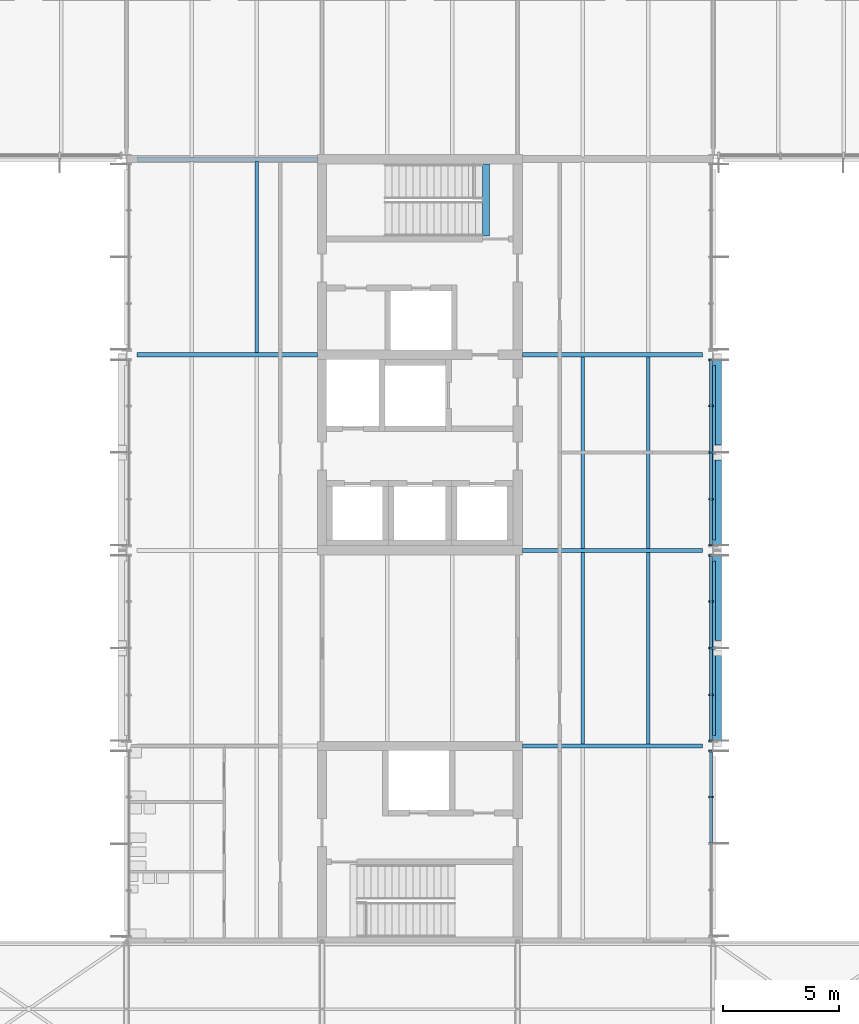
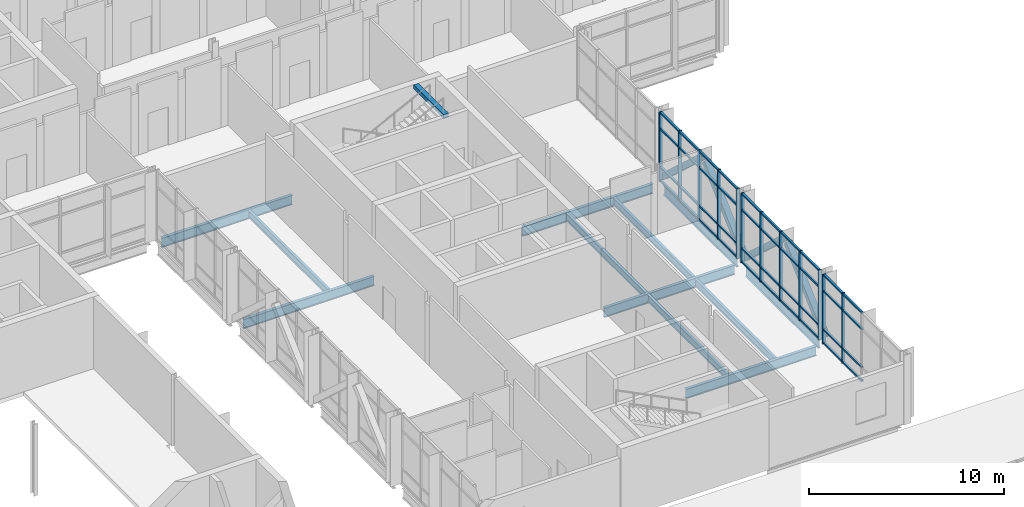
# One storey, part 29 of 89: 56 members, 13 beams, 3 elements without a shape of their own.
"""IFC4 building model written with IfcOpenShell, lengths in metres."""

from ifc_helpers import new_model, si_unit, direction, frame, origin, origin_2d, place, context, subcontext, project, spatial, rectangle, hollow_rectangle, i_section, extrude, material, material_profile, profile_set, type_object, element, aggregate, save


model = new_model("IFC4")

# Units and contexts
model_context = context("Model", 3, precision=1e-05, world=origin(), true_north=direction((0.0, 1.0)))
body_context = subcontext(model_context, "Body", "Model", "MODEL_VIEW")
ifc_project = project(units=[si_unit("LENGTHUNIT", "METRE"), si_unit("AREAUNIT", "SQUARE_METRE"), si_unit("VOLUMEUNIT", "CUBIC_METRE"), si_unit("PLANEANGLEUNIT", "RADIAN"), si_unit("MASSUNIT", "GRAM", prefix="KILO")], contexts=[model_context])

# Site, building, storey
site_placement = place(None, origin())
site = spatial("IfcSite", under=ifc_project, at=site_placement, CompositionType="ELEMENT")
building_placement = place(site_placement, origin())
building = spatial("IfcBuilding", under=site, at=building_placement, Name="Hlaing Beacon Police Headquarters", CompositionType="ELEMENT")
storey_placement = place(building_placement, frame((0.0, 0.0, 9.89990234375)))
storey = spatial("IfcBuildingStorey", under=building, at=storey_placement, Name="L02", CompositionType="ELEMENT", Elevation=9.89990234375)

# Members
ifc_material_1 = material(Name="Steel ASTM A500 Grade C", Category="steel")
ifc_material_profile_1 = material_profile(ifc_material_1, hollow_rectangle(XDim=0.355712890625, YDim=0.355712890625, WallThickness=0.015869140625, at=origin_2d()), Name="HSS14x14x5/8")
ifc_profile_set_1 = profile_set([ifc_material_profile_1], Name="Steel ASTM A500 Grade C")
member_type_1 = type_object("IfcMemberType", Name="Chevron brace HSS14x14x5/8", PredefinedType="BRACE", material=ifc_profile_set_1)
for number, where, z_axis, x_axis, name in (
    (1, (126.181884765625, 42.077880859375, 0.131103515625), (0.0, 0.738028812002, 0.674769199545), (-1.0, 0.0, 0.0), "STR-BR-L02-R6a"),
    (2, (126.181884765625, 50.322021484375, 0.131103515625), (0.0, -0.738028812002, 0.674769199545), (1.0, 0.0, 0.0), "STR-BR-L02-R6b"),
    (3, (126.181884765625, 50.47802734375, 0.131103515625), (0.0, 0.738007893761, 0.67479207816), (-1.0, 0.0, 0.0), "STR-BR-L02-R7a"),
    (4, (126.181884765625, 58.721923828125, 0.131103515625), (0.0, -0.738007893761, 0.67479207816), (1.0, 0.0, 0.0), "STR-BR-L02-R7b"),
):
    element("IfcMember", number, at=place(storey_placement, frame(where, z_axis=z_axis, x_axis=x_axis)), inside=storey, type_object=member_type_1, Name=name, PredefinedType="BRACE", context=body_context, shape_type="SweptSolid", body=[
        extrude(hollow_rectangle(XDim=0.355712890625, YDim=0.355712890625, WallThickness=0.015869140625, at=origin_2d()), origin(), (0.0, 0.0, 1.0), 5.314208984375),
    ])

# Beams
ifc_material_2 = material(Name="Steel ASTM A992 Grade 50", Category="steel")
ifc_material_profile_2 = material_profile(ifc_material_2, i_section(OverallWidth=0.177978515625, OverallDepth=0.599365234375, WebThickness=0.010009765625, FlangeThickness=0.012939453125, FilletRadius=0.012939453125, at=origin_2d()), Name="W24x55")
ifc_profile_set_2 = profile_set([ifc_material_profile_2], Name="Steel ASTM A992 Grade 50")
beam_type_1 = type_object("IfcBeamType", Name="Girder W24x55", PredefinedType="BEAM", material=ifc_profile_set_2)
for number, where, z_axis, x_axis, name in (
    (5, (117.800048828125, 42.0, -0.4296875), (1.0, 0.0, 0.0), (0.0, 1.0, 0.0), "STR-BM-L02-GX-Q6-R6"),
    (6, (117.800048828125, 50.39990234375, -0.4296875), (1.0, 0.0, 0.0), (0.0, 1.0, 0.0), "STR-BM-L02-GX-Q7-R7"),
    (7, (101.25, 58.800048828125, -0.4296875), (1.0, 0.0, 0.0), (0.0, 1.0, 0.0), "STR-BM-L02-GX-N8-P8"),
    (8, (117.800048828125, 58.800048828125, -0.4296875), (1.0, 0.0, 0.0), (0.0, 1.0, 0.0), "STR-BM-L02-GX-Q8-R8"),
    (9, (101.25, 67.199951171875, -0.4296875), (1.0, 0.0, 0.0), (0.0, 1.0, 0.0), "STR-BM-L02-GX-N9-P9"),
):
    element("IfcBeam", number, at=place(storey_placement, frame(where, z_axis=z_axis, x_axis=x_axis)), inside=storey, type_object=beam_type_1, Name=name, PredefinedType="BEAM", context=body_context, shape_type="SweptSolid", body=[
        extrude(i_section(OverallWidth=0.177978515625, OverallDepth=0.599365234375, WebThickness=0.010009765625, FlangeThickness=0.012939453125, FilletRadius=0.012939453125, at=origin_2d()), origin(), (0.0, 0.0, 1.0), 7.75),
    ])
for number, where, z_axis, x_axis, name in (
    (10, (126.0, 42.449951171875, -0.4296875), (0.0, 1.0, 0.0), (-1.0, 0.0, 0.0), "STR-BM-L02-GY-R6-R7"),
    (11, (126.0, 50.85009765625, -0.4296875), (0.0, 1.0, 0.0), (-1.0, 0.0, 0.0), "STR-BM-L02-GY-R7-R8"),
):
    element("IfcBeam", number, at=place(storey_placement, frame(where, z_axis=z_axis, x_axis=x_axis)), inside=storey, type_object=beam_type_1, Name=name, PredefinedType="BEAM", context=body_context, shape_type="SweptSolid", body=[
        extrude(i_section(OverallWidth=0.177978515625, OverallDepth=0.599365234375, WebThickness=0.010009765625, FlangeThickness=0.012939453125, FilletRadius=0.012939453125, at=origin_2d()), origin(), (0.0, 0.0, 1.0), 7.5),
    ])

# Curtain wall, members
ifc_material_3 = material(Name="Aluminium frame with solar control glazing", Category="aluminium")
curtain_wall_type_1 = type_object("IfcCurtainWallType", Name="Unitised curtain wall 7.99 x 4.37", PredefinedType="NOTDEFINED", material=ifc_material_3)
curtain_wall_1_placement = place(storey_placement, origin())
curtain_wall_1 = element("IfcCurtainWall", 12, at=curtain_wall_1_placement, inside=storey, type_object=curtain_wall_type_1, Name="ENV-CW-L02-E015", PredefinedType="NOTDEFINED")
ifc_material_4 = material(Name="Aluminium", Category="aluminium")
ifc_material_profile_3 = material_profile(ifc_material_4, rectangle(XDim=0.199951171875, YDim=0.06005859375, at=origin_2d()), Name="Mullion 60x200")
ifc_profile_set_3 = profile_set([ifc_material_profile_3], Name="Aluminium")
member_type_2 = type_object("IfcMemberType", Name="Mullion 60x200", PredefinedType="MULLION", material=ifc_profile_set_3)
member_1_placement = place(storey_placement, frame((125.89990234375, 39.808349609375, 0.0), z_axis=(0.0, 0.0, 1.0), x_axis=(-1.0, 0.0, 0.0)))
member_1 = element("IfcMember", 13, at=member_1_placement, type_object=member_type_2, Name="CW-L02-E015 mullion 4", PredefinedType="MULLION", context=body_context, shape_type="SweptSolid", body=[
    extrude(rectangle(XDim=0.199951171875, YDim=0.06005859375, at=origin_2d()), origin(), (0.0, 0.0, 1.0), 4.3701171875),
])
member_2_placement = place(storey_placement, frame((125.89990234375, 41.777099609375, 0.0), z_axis=(0.0, 0.0, 1.0), x_axis=(-1.0, 0.0, 0.0)))
member_2 = element("IfcMember", 14, at=member_2_placement, type_object=member_type_2, Name="CW-L02-E015 mullion 5", PredefinedType="MULLION", context=body_context, shape_type="SweptSolid", body=[
    extrude(rectangle(XDim=0.199951171875, YDim=0.06005859375, at=origin_2d()), origin(), (0.0, 0.0, 1.0), 4.3701171875),
])

ifc_material_5 = material(Name="Aluminium frame with solar control glazing", Category="aluminium")
curtain_wall_type_2 = type_object("IfcCurtainWallType", Name="Unitised curtain wall 8.01 x 4.37", PredefinedType="NOTDEFINED", material=ifc_material_5)
curtain_wall_2_placement = place(storey_placement, origin())
curtain_wall_2 = element("IfcCurtainWall", 15, at=curtain_wall_2_placement, inside=storey, type_object=curtain_wall_type_2, Name="ENV-CW-L02-E016", PredefinedType="NOTDEFINED")
member_3_placement = place(storey_placement, frame((125.89990234375, 42.222900390625, 0.0), z_axis=(0.0, 0.0, 1.0), x_axis=(-1.0, 0.0, 0.0)))
member_3 = element("IfcMember", 16, at=member_3_placement, type_object=member_type_2, Name="CW-L02-E016 mullion 1", PredefinedType="MULLION", context=body_context, shape_type="SweptSolid", body=[
    extrude(rectangle(XDim=0.199951171875, YDim=0.06005859375, at=origin_2d()), origin(), (0.0, 0.0, 1.0), 4.3701171875),
])
member_4_placement = place(storey_placement, frame((125.89990234375, 44.196533203125, 0.0), z_axis=(0.0, 0.0, 1.0), x_axis=(-1.0, 0.0, 0.0)))
member_4 = element("IfcMember", 17, at=member_4_placement, type_object=member_type_2, Name="CW-L02-E016 mullion 2", PredefinedType="MULLION", context=body_context, shape_type="SweptSolid", body=[
    extrude(rectangle(XDim=0.199951171875, YDim=0.06005859375, at=origin_2d()), origin(), (0.0, 0.0, 1.0), 4.3701171875),
])
member_5_placement = place(storey_placement, frame((125.89990234375, 46.199951171875, 0.0), z_axis=(0.0, 0.0, 1.0), x_axis=(-1.0, 0.0, 0.0)))
member_5 = element("IfcMember", 18, at=member_5_placement, type_object=member_type_2, Name="CW-L02-E016 mullion 3", PredefinedType="MULLION", context=body_context, shape_type="SweptSolid", body=[
    extrude(rectangle(XDim=0.199951171875, YDim=0.06005859375, at=origin_2d()), origin(), (0.0, 0.0, 1.0), 4.3701171875),
])
member_6_placement = place(storey_placement, frame((125.89990234375, 48.20361328125, 0.0), z_axis=(0.0, 0.0, 1.0), x_axis=(-1.0, 0.0, 0.0)))
member_6 = element("IfcMember", 19, at=member_6_placement, type_object=member_type_2, Name="CW-L02-E016 mullion 4", PredefinedType="MULLION", context=body_context, shape_type="SweptSolid", body=[
    extrude(rectangle(XDim=0.199951171875, YDim=0.06005859375, at=origin_2d()), origin(), (0.0, 0.0, 1.0), 4.3701171875),
])
member_7_placement = place(storey_placement, frame((125.89990234375, 50.177001953125, 0.0), z_axis=(0.0, 0.0, 1.0), x_axis=(-1.0, 0.0, 0.0)))
member_7 = element("IfcMember", 20, at=member_7_placement, type_object=member_type_2, Name="CW-L02-E016 mullion 5", PredefinedType="MULLION", context=body_context, shape_type="SweptSolid", body=[
    extrude(rectangle(XDim=0.199951171875, YDim=0.06005859375, at=origin_2d()), origin(), (0.0, 0.0, 1.0), 4.3701171875),
])

curtain_wall_3_placement = place(storey_placement, origin())
curtain_wall_3 = element("IfcCurtainWall", 21, at=curtain_wall_3_placement, inside=storey, type_object=curtain_wall_type_2, Name="ENV-CW-L02-E017", PredefinedType="NOTDEFINED")
member_8_placement = place(storey_placement, frame((125.89990234375, 50.623046875, 0.0), z_axis=(0.0, 0.0, 1.0), x_axis=(-1.0, 0.0, 0.0)))
member_8 = element("IfcMember", 22, at=member_8_placement, type_object=member_type_2, Name="CW-L02-E017 mullion 1", PredefinedType="MULLION", context=body_context, shape_type="SweptSolid", body=[
    extrude(rectangle(XDim=0.199951171875, YDim=0.06005859375, at=origin_2d()), origin(), (0.0, 0.0, 1.0), 4.3701171875),
])
member_9_placement = place(storey_placement, frame((125.89990234375, 52.596435546875, 0.0), z_axis=(0.0, 0.0, 1.0), x_axis=(-1.0, 0.0, 0.0)))
member_9 = element("IfcMember", 23, at=member_9_placement, type_object=member_type_2, Name="CW-L02-E017 mullion 2", PredefinedType="MULLION", context=body_context, shape_type="SweptSolid", body=[
    extrude(rectangle(XDim=0.199951171875, YDim=0.06005859375, at=origin_2d()), origin(), (0.0, 0.0, 1.0), 4.3701171875),
])
member_10_placement = place(storey_placement, frame((125.89990234375, 54.60009765625, 0.0), z_axis=(0.0, 0.0, 1.0), x_axis=(-1.0, 0.0, 0.0)))
member_10 = element("IfcMember", 24, at=member_10_placement, type_object=member_type_2, Name="CW-L02-E017 mullion 3", PredefinedType="MULLION", context=body_context, shape_type="SweptSolid", body=[
    extrude(rectangle(XDim=0.199951171875, YDim=0.06005859375, at=origin_2d()), origin(), (0.0, 0.0, 1.0), 4.3701171875),
])
member_11_placement = place(storey_placement, frame((125.89990234375, 56.603515625, 0.0), z_axis=(0.0, 0.0, 1.0), x_axis=(-1.0, 0.0, 0.0)))
member_11 = element("IfcMember", 25, at=member_11_placement, type_object=member_type_2, Name="CW-L02-E017 mullion 4", PredefinedType="MULLION", context=body_context, shape_type="SweptSolid", body=[
    extrude(rectangle(XDim=0.199951171875, YDim=0.06005859375, at=origin_2d()), origin(), (0.0, 0.0, 1.0), 4.3701171875),
])
member_12_placement = place(storey_placement, frame((125.89990234375, 58.576904296875, 0.0), z_axis=(0.0, 0.0, 1.0), x_axis=(-1.0, 0.0, 0.0)))
member_12 = element("IfcMember", 26, at=member_12_placement, type_object=member_type_2, Name="CW-L02-E017 mullion 5", PredefinedType="MULLION", context=body_context, shape_type="SweptSolid", body=[
    extrude(rectangle(XDim=0.199951171875, YDim=0.06005859375, at=origin_2d()), origin(), (0.0, 0.0, 1.0), 4.3701171875),
])

# Beams
ifc_material_6 = material(Name="Steel ASTM A992 Grade 50", Category="steel")
ifc_material_profile_4 = material_profile(ifc_material_6, i_section(OverallWidth=0.15234375, OverallDepth=0.449462890625, WebThickness=0.007568359375, FlangeThickness=0.0107421875, FilletRadius=0.01025390625, at=origin_2d()), Name="W18x35")
ifc_profile_set_4 = profile_set([ifc_material_profile_4], Name="Steel ASTM A992 Grade 50")
beam_type_2 = type_object("IfcBeamType", Name="Secondary beam W18x35", PredefinedType="BEAM", material=ifc_profile_set_4)
beam_1_placement = place(storey_placement, frame((106.39990234375, 58.888916015625, -0.354736328125), z_axis=(0.0, 1.0, 0.0), x_axis=(-1.0, 0.0, 0.0)))
element("IfcBeam", 27, at=beam_1_placement, inside=storey, type_object=beam_type_2, Name="STR-BM-L02-SB-N8-y2", PredefinedType="BEAM", context=body_context, shape_type="SweptSolid", body=[
    extrude(i_section(OverallWidth=0.15234375, OverallDepth=0.449462890625, WebThickness=0.007568359375, FlangeThickness=0.0107421875, FilletRadius=0.01025390625, at=origin_2d()), origin(), (0.0, 0.0, 1.0), 8.22216796875),
])
for number, where, z_axis, x_axis, name in (
    (28, (120.39990234375, 42.089111328125, -0.354736328125), (0.0, 1.0, 0.0), (-1.0, 0.0, 0.0), "STR-BM-L02-SB-Q6-y1"),
    (29, (123.199951171875, 42.089111328125, -0.354736328125), (0.0, 1.0, 0.0), (-1.0, 0.0, 0.0), "STR-BM-L02-SB-Q6-y2"),
    (30, (120.39990234375, 50.489013671875, -0.354736328125), (0.0, 1.0, 0.0), (-1.0, 0.0, 0.0), "STR-BM-L02-SB-Q7-y1"),
    (31, (123.199951171875, 50.489013671875, -0.354736328125), (0.0, 1.0, 0.0), (-1.0, 0.0, 0.0), "STR-BM-L02-SB-Q7-y2"),
):
    element("IfcBeam", number, at=place(storey_placement, frame(where, z_axis=z_axis, x_axis=x_axis)), inside=storey, type_object=beam_type_2, Name=name, PredefinedType="BEAM", context=body_context, shape_type="SweptSolid", body=[
        extrude(i_section(OverallWidth=0.15234375, OverallDepth=0.449462890625, WebThickness=0.007568359375, FlangeThickness=0.0107421875, FilletRadius=0.01025390625, at=origin_2d()), origin(), (0.0, 0.0, 1.0), 8.221923828125),
    ])
ifc_material_7 = material(Name="Concrete C40/50", Category="concrete")
ifc_material_profile_5 = material_profile(ifc_material_7, rectangle(XDim=0.300048828125, YDim=0.25, at=origin_2d()), Name="Stair arrival beam 300x250")
ifc_profile_set_5 = profile_set([ifc_material_profile_5], Name="Concrete C40/50")
beam_type_3 = type_object("IfcBeamType", Name="Stair arrival beam 300x250", PredefinedType="BEAM", material=ifc_profile_set_5)
beam_2_placement = place(storey_placement, frame((116.239990234375, 67.0, 4.2451171875), z_axis=(0.0, -1.0, 0.0), x_axis=(1.0, 0.0, 0.0)))
element("IfcBeam", 32, at=beam_2_placement, inside=storey, type_object=beam_type_3, Name="Stair arrival beam ST-M", PredefinedType="BEAM", context=body_context, shape_type="SweptSolid", body=[
    extrude(rectangle(XDim=0.300048828125, YDim=0.25, at=origin_2d()), origin(), (0.0, 0.0, 1.0), 3.10009765625),
])

# Member
ifc_material_8 = material(Name="Aluminium", Category="aluminium")
ifc_material_profile_6 = material_profile(ifc_material_8, rectangle(XDim=0.1201171875, YDim=0.10009765625, at=origin_2d()), Name="Transom 120x100")
ifc_profile_set_6 = profile_set([ifc_material_profile_6], Name="Aluminium")
member_type_3 = type_object("IfcMemberType", Name="Transom 120x100", PredefinedType="USERDEFINED", material=ifc_profile_set_6)
member_13_placement = place(storey_placement, frame((125.89990234375, 37.839599609375, 0.050048828125), z_axis=(0.0, 1.0, 0.0), x_axis=(-1.0, 0.0, 0.0)))
member_13 = element("IfcMember", 33, at=member_13_placement, type_object=member_type_3, Name="CW-L02-E015 transom 3.1", ObjectType="TRANSOM", PredefinedType="USERDEFINED", context=body_context, shape_type="SweptSolid", body=[
    extrude(rectangle(XDim=0.1201171875, YDim=0.10009765625, at=origin_2d()), origin(), (0.0, 0.0, 1.0), 1.938720703125),
])

member_14_placement = place(storey_placement, frame((125.89990234375, 37.839599609375, 0.900146484375), z_axis=(0.0, 1.0, 0.0), x_axis=(-1.0, 0.0, 0.0)))
member_14 = element("IfcMember", 34, at=member_14_placement, type_object=member_type_3, Name="CW-L02-E015 transom 3.2", ObjectType="TRANSOM", PredefinedType="USERDEFINED", context=body_context, shape_type="SweptSolid", body=[
    extrude(rectangle(XDim=0.1201171875, YDim=0.10009765625, at=origin_2d()), origin(), (0.0, 0.0, 1.0), 1.938720703125),
])

member_15_placement = place(storey_placement, frame((125.89990234375, 37.839599609375, 3.300048828125), z_axis=(0.0, 1.0, 0.0), x_axis=(-1.0, 0.0, 0.0)))
member_15 = element("IfcMember", 35, at=member_15_placement, type_object=member_type_3, Name="CW-L02-E015 transom 3.3", ObjectType="TRANSOM", PredefinedType="USERDEFINED", context=body_context, shape_type="SweptSolid", body=[
    extrude(rectangle(XDim=0.1201171875, YDim=0.10009765625, at=origin_2d()), origin(), (0.0, 0.0, 1.0), 1.938720703125),
])

member_16_placement = place(storey_placement, frame((125.89990234375, 37.839599609375, 4.320068359375), z_axis=(0.0, 1.0, 0.0), x_axis=(-1.0, 0.0, 0.0)))
member_16 = element("IfcMember", 36, at=member_16_placement, type_object=member_type_3, Name="CW-L02-E015 transom 3.4", ObjectType="TRANSOM", PredefinedType="USERDEFINED", context=body_context, shape_type="SweptSolid", body=[
    extrude(rectangle(XDim=0.1201171875, YDim=0.10009765625, at=origin_2d()), origin(), (0.0, 0.0, 1.0), 1.938720703125),
])

member_17_placement = place(storey_placement, frame((125.89990234375, 39.83837890625, 0.050048828125), z_axis=(0.0, 1.0, 0.0), x_axis=(-1.0, 0.0, 0.0)))
member_17 = element("IfcMember", 37, at=member_17_placement, type_object=member_type_3, Name="CW-L02-E015 transom 4.1", ObjectType="TRANSOM", PredefinedType="USERDEFINED", context=body_context, shape_type="SweptSolid", body=[
    extrude(rectangle(XDim=0.1201171875, YDim=0.10009765625, at=origin_2d()), origin(), (0.0, 0.0, 1.0), 1.90869140625),
])

member_18_placement = place(storey_placement, frame((125.89990234375, 39.83837890625, 0.900146484375), z_axis=(0.0, 1.0, 0.0), x_axis=(-1.0, 0.0, 0.0)))
member_18 = element("IfcMember", 38, at=member_18_placement, type_object=member_type_3, Name="CW-L02-E015 transom 4.2", ObjectType="TRANSOM", PredefinedType="USERDEFINED", context=body_context, shape_type="SweptSolid", body=[
    extrude(rectangle(XDim=0.1201171875, YDim=0.10009765625, at=origin_2d()), origin(), (0.0, 0.0, 1.0), 1.90869140625),
])

member_19_placement = place(storey_placement, frame((125.89990234375, 39.83837890625, 3.300048828125), z_axis=(0.0, 1.0, 0.0), x_axis=(-1.0, 0.0, 0.0)))
member_19 = element("IfcMember", 39, at=member_19_placement, type_object=member_type_3, Name="CW-L02-E015 transom 4.3", ObjectType="TRANSOM", PredefinedType="USERDEFINED", context=body_context, shape_type="SweptSolid", body=[
    extrude(rectangle(XDim=0.1201171875, YDim=0.10009765625, at=origin_2d()), origin(), (0.0, 0.0, 1.0), 1.90869140625),
])

member_20_placement = place(storey_placement, frame((125.89990234375, 39.83837890625, 4.320068359375), z_axis=(0.0, 1.0, 0.0), x_axis=(-1.0, 0.0, 0.0)))
member_20 = element("IfcMember", 40, at=member_20_placement, type_object=member_type_3, Name="CW-L02-E015 transom 4.4", ObjectType="TRANSOM", PredefinedType="USERDEFINED", context=body_context, shape_type="SweptSolid", body=[
    extrude(rectangle(XDim=0.1201171875, YDim=0.10009765625, at=origin_2d()), origin(), (0.0, 0.0, 1.0), 1.90869140625),
])

aggregate(curtain_wall_1, [member_1, member_2, member_13, member_14, member_15, member_16, member_17, member_18, member_19, member_20])

member_21_placement = place(storey_placement, frame((125.89990234375, 42.2529296875, 0.050048828125), z_axis=(0.0, 1.0, 0.0), x_axis=(-1.0, 0.0, 0.0)))
member_21 = element("IfcMember", 41, at=member_21_placement, type_object=member_type_3, Name="CW-L02-E016 transom 1.1", ObjectType="TRANSOM", PredefinedType="USERDEFINED", context=body_context, shape_type="SweptSolid", body=[
    extrude(rectangle(XDim=0.1201171875, YDim=0.10009765625, at=origin_2d()), origin(), (0.0, 0.0, 1.0), 1.91357421875),
])

member_22_placement = place(storey_placement, frame((125.89990234375, 42.2529296875, 0.900146484375), z_axis=(0.0, 1.0, 0.0), x_axis=(-1.0, 0.0, 0.0)))
member_22 = element("IfcMember", 42, at=member_22_placement, type_object=member_type_3, Name="CW-L02-E016 transom 1.2", ObjectType="TRANSOM", PredefinedType="USERDEFINED", context=body_context, shape_type="SweptSolid", body=[
    extrude(rectangle(XDim=0.1201171875, YDim=0.10009765625, at=origin_2d()), origin(), (0.0, 0.0, 1.0), 1.91357421875),
])

member_23_placement = place(storey_placement, frame((125.89990234375, 42.2529296875, 3.300048828125), z_axis=(0.0, 1.0, 0.0), x_axis=(-1.0, 0.0, 0.0)))
member_23 = element("IfcMember", 43, at=member_23_placement, type_object=member_type_3, Name="CW-L02-E016 transom 1.3", ObjectType="TRANSOM", PredefinedType="USERDEFINED", context=body_context, shape_type="SweptSolid", body=[
    extrude(rectangle(XDim=0.1201171875, YDim=0.10009765625, at=origin_2d()), origin(), (0.0, 0.0, 1.0), 1.91357421875),
])

member_24_placement = place(storey_placement, frame((125.89990234375, 42.2529296875, 4.320068359375), z_axis=(0.0, 1.0, 0.0), x_axis=(-1.0, 0.0, 0.0)))
member_24 = element("IfcMember", 44, at=member_24_placement, type_object=member_type_3, Name="CW-L02-E016 transom 1.4", ObjectType="TRANSOM", PredefinedType="USERDEFINED", context=body_context, shape_type="SweptSolid", body=[
    extrude(rectangle(XDim=0.1201171875, YDim=0.10009765625, at=origin_2d()), origin(), (0.0, 0.0, 1.0), 1.91357421875),
])

member_25_placement = place(storey_placement, frame((125.89990234375, 44.2265625, 0.050048828125), z_axis=(0.0, 1.0, 0.0), x_axis=(-1.0, 0.0, 0.0)))
member_25 = element("IfcMember", 45, at=member_25_placement, type_object=member_type_3, Name="CW-L02-E016 transom 2.1", ObjectType="TRANSOM", PredefinedType="USERDEFINED", context=body_context, shape_type="SweptSolid", body=[
    extrude(rectangle(XDim=0.1201171875, YDim=0.10009765625, at=origin_2d()), origin(), (0.0, 0.0, 1.0), 1.943359375),
])

member_26_placement = place(storey_placement, frame((125.89990234375, 44.2265625, 0.900146484375), z_axis=(0.0, 1.0, 0.0), x_axis=(-1.0, 0.0, 0.0)))
member_26 = element("IfcMember", 46, at=member_26_placement, type_object=member_type_3, Name="CW-L02-E016 transom 2.2", ObjectType="TRANSOM", PredefinedType="USERDEFINED", context=body_context, shape_type="SweptSolid", body=[
    extrude(rectangle(XDim=0.1201171875, YDim=0.10009765625, at=origin_2d()), origin(), (0.0, 0.0, 1.0), 1.943359375),
])

member_27_placement = place(storey_placement, frame((125.89990234375, 44.2265625, 3.300048828125), z_axis=(0.0, 1.0, 0.0), x_axis=(-1.0, 0.0, 0.0)))
member_27 = element("IfcMember", 47, at=member_27_placement, type_object=member_type_3, Name="CW-L02-E016 transom 2.3", ObjectType="TRANSOM", PredefinedType="USERDEFINED", context=body_context, shape_type="SweptSolid", body=[
    extrude(rectangle(XDim=0.1201171875, YDim=0.10009765625, at=origin_2d()), origin(), (0.0, 0.0, 1.0), 1.943359375),
])

member_28_placement = place(storey_placement, frame((125.89990234375, 44.2265625, 4.320068359375), z_axis=(0.0, 1.0, 0.0), x_axis=(-1.0, 0.0, 0.0)))
member_28 = element("IfcMember", 48, at=member_28_placement, type_object=member_type_3, Name="CW-L02-E016 transom 2.4", ObjectType="TRANSOM", PredefinedType="USERDEFINED", context=body_context, shape_type="SweptSolid", body=[
    extrude(rectangle(XDim=0.1201171875, YDim=0.10009765625, at=origin_2d()), origin(), (0.0, 0.0, 1.0), 1.943359375),
])

member_29_placement = place(storey_placement, frame((125.89990234375, 46.22998046875, 0.050048828125), z_axis=(0.0, 1.0, 0.0), x_axis=(-1.0, 0.0, 0.0)))
member_29 = element("IfcMember", 49, at=member_29_placement, type_object=member_type_3, Name="CW-L02-E016 transom 3.1", ObjectType="TRANSOM", PredefinedType="USERDEFINED", context=body_context, shape_type="SweptSolid", body=[
    extrude(rectangle(XDim=0.1201171875, YDim=0.10009765625, at=origin_2d()), origin(), (0.0, 0.0, 1.0), 1.943603515625),
])

member_30_placement = place(storey_placement, frame((125.89990234375, 46.22998046875, 0.900146484375), z_axis=(0.0, 1.0, 0.0), x_axis=(-1.0, 0.0, 0.0)))
member_30 = element("IfcMember", 50, at=member_30_placement, type_object=member_type_3, Name="CW-L02-E016 transom 3.2", ObjectType="TRANSOM", PredefinedType="USERDEFINED", context=body_context, shape_type="SweptSolid", body=[
    extrude(rectangle(XDim=0.1201171875, YDim=0.10009765625, at=origin_2d()), origin(), (0.0, 0.0, 1.0), 1.943603515625),
])

member_31_placement = place(storey_placement, frame((125.89990234375, 46.22998046875, 3.300048828125), z_axis=(0.0, 1.0, 0.0), x_axis=(-1.0, 0.0, 0.0)))
member_31 = element("IfcMember", 51, at=member_31_placement, type_object=member_type_3, Name="CW-L02-E016 transom 3.3", ObjectType="TRANSOM", PredefinedType="USERDEFINED", context=body_context, shape_type="SweptSolid", body=[
    extrude(rectangle(XDim=0.1201171875, YDim=0.10009765625, at=origin_2d()), origin(), (0.0, 0.0, 1.0), 1.943603515625),
])

member_32_placement = place(storey_placement, frame((125.89990234375, 46.22998046875, 4.320068359375), z_axis=(0.0, 1.0, 0.0), x_axis=(-1.0, 0.0, 0.0)))
member_32 = element("IfcMember", 52, at=member_32_placement, type_object=member_type_3, Name="CW-L02-E016 transom 3.4", ObjectType="TRANSOM", PredefinedType="USERDEFINED", context=body_context, shape_type="SweptSolid", body=[
    extrude(rectangle(XDim=0.1201171875, YDim=0.10009765625, at=origin_2d()), origin(), (0.0, 0.0, 1.0), 1.943603515625),
])

member_33_placement = place(storey_placement, frame((125.89990234375, 48.2333984375, 0.050048828125), z_axis=(0.0, 1.0, 0.0), x_axis=(-1.0, 0.0, 0.0)))
member_33 = element("IfcMember", 53, at=member_33_placement, type_object=member_type_3, Name="CW-L02-E016 transom 4.1", ObjectType="TRANSOM", PredefinedType="USERDEFINED", context=body_context, shape_type="SweptSolid", body=[
    extrude(rectangle(XDim=0.1201171875, YDim=0.10009765625, at=origin_2d()), origin(), (0.0, 0.0, 1.0), 1.91357421875),
])

member_34_placement = place(storey_placement, frame((125.89990234375, 48.2333984375, 0.900146484375), z_axis=(0.0, 1.0, 0.0), x_axis=(-1.0, 0.0, 0.0)))
member_34 = element("IfcMember", 54, at=member_34_placement, type_object=member_type_3, Name="CW-L02-E016 transom 4.2", ObjectType="TRANSOM", PredefinedType="USERDEFINED", context=body_context, shape_type="SweptSolid", body=[
    extrude(rectangle(XDim=0.1201171875, YDim=0.10009765625, at=origin_2d()), origin(), (0.0, 0.0, 1.0), 1.91357421875),
])

member_35_placement = place(storey_placement, frame((125.89990234375, 48.2333984375, 3.300048828125), z_axis=(0.0, 1.0, 0.0), x_axis=(-1.0, 0.0, 0.0)))
member_35 = element("IfcMember", 55, at=member_35_placement, type_object=member_type_3, Name="CW-L02-E016 transom 4.3", ObjectType="TRANSOM", PredefinedType="USERDEFINED", context=body_context, shape_type="SweptSolid", body=[
    extrude(rectangle(XDim=0.1201171875, YDim=0.10009765625, at=origin_2d()), origin(), (0.0, 0.0, 1.0), 1.91357421875),
])

member_36_placement = place(storey_placement, frame((125.89990234375, 48.2333984375, 4.320068359375), z_axis=(0.0, 1.0, 0.0), x_axis=(-1.0, 0.0, 0.0)))
member_36 = element("IfcMember", 56, at=member_36_placement, type_object=member_type_3, Name="CW-L02-E016 transom 4.4", ObjectType="TRANSOM", PredefinedType="USERDEFINED", context=body_context, shape_type="SweptSolid", body=[
    extrude(rectangle(XDim=0.1201171875, YDim=0.10009765625, at=origin_2d()), origin(), (0.0, 0.0, 1.0), 1.91357421875),
])

aggregate(curtain_wall_2, [member_3, member_4, member_5, member_6, member_7, member_21, member_22, member_23, member_24, member_25, member_26, member_27, member_28, member_29, member_30, member_31, member_32, member_33, member_34, member_35, member_36])

member_37_placement = place(storey_placement, frame((125.89990234375, 50.653076171875, 0.050048828125), z_axis=(0.0, 1.0, 0.0), x_axis=(-1.0, 0.0, 0.0)))
member_37 = element("IfcMember", 57, at=member_37_placement, type_object=member_type_3, Name="CW-L02-E017 transom 1.1", ObjectType="TRANSOM", PredefinedType="USERDEFINED", context=body_context, shape_type="SweptSolid", body=[
    extrude(rectangle(XDim=0.1201171875, YDim=0.10009765625, at=origin_2d()), origin(), (0.0, 0.0, 1.0), 1.913330078125),
])

member_38_placement = place(storey_placement, frame((125.89990234375, 50.653076171875, 0.900146484375), z_axis=(0.0, 1.0, 0.0), x_axis=(-1.0, 0.0, 0.0)))
member_38 = element("IfcMember", 58, at=member_38_placement, type_object=member_type_3, Name="CW-L02-E017 transom 1.2", ObjectType="TRANSOM", PredefinedType="USERDEFINED", context=body_context, shape_type="SweptSolid", body=[
    extrude(rectangle(XDim=0.1201171875, YDim=0.10009765625, at=origin_2d()), origin(), (0.0, 0.0, 1.0), 1.913330078125),
])

member_39_placement = place(storey_placement, frame((125.89990234375, 50.653076171875, 3.300048828125), z_axis=(0.0, 1.0, 0.0), x_axis=(-1.0, 0.0, 0.0)))
member_39 = element("IfcMember", 59, at=member_39_placement, type_object=member_type_3, Name="CW-L02-E017 transom 1.3", ObjectType="TRANSOM", PredefinedType="USERDEFINED", context=body_context, shape_type="SweptSolid", body=[
    extrude(rectangle(XDim=0.1201171875, YDim=0.10009765625, at=origin_2d()), origin(), (0.0, 0.0, 1.0), 1.913330078125),
])

member_40_placement = place(storey_placement, frame((125.89990234375, 50.653076171875, 4.320068359375), z_axis=(0.0, 1.0, 0.0), x_axis=(-1.0, 0.0, 0.0)))
member_40 = element("IfcMember", 60, at=member_40_placement, type_object=member_type_3, Name="CW-L02-E017 transom 1.4", ObjectType="TRANSOM", PredefinedType="USERDEFINED", context=body_context, shape_type="SweptSolid", body=[
    extrude(rectangle(XDim=0.1201171875, YDim=0.10009765625, at=origin_2d()), origin(), (0.0, 0.0, 1.0), 1.913330078125),
])

member_41_placement = place(storey_placement, frame((125.89990234375, 52.62646484375, 0.050048828125), z_axis=(0.0, 1.0, 0.0), x_axis=(-1.0, 0.0, 0.0)))
member_41 = element("IfcMember", 61, at=member_41_placement, type_object=member_type_3, Name="CW-L02-E017 transom 2.1", ObjectType="TRANSOM", PredefinedType="USERDEFINED", context=body_context, shape_type="SweptSolid", body=[
    extrude(rectangle(XDim=0.1201171875, YDim=0.10009765625, at=origin_2d()), origin(), (0.0, 0.0, 1.0), 1.943603515625),
])

member_42_placement = place(storey_placement, frame((125.89990234375, 52.62646484375, 0.900146484375), z_axis=(0.0, 1.0, 0.0), x_axis=(-1.0, 0.0, 0.0)))
member_42 = element("IfcMember", 62, at=member_42_placement, type_object=member_type_3, Name="CW-L02-E017 transom 2.2", ObjectType="TRANSOM", PredefinedType="USERDEFINED", context=body_context, shape_type="SweptSolid", body=[
    extrude(rectangle(XDim=0.1201171875, YDim=0.10009765625, at=origin_2d()), origin(), (0.0, 0.0, 1.0), 1.943603515625),
])

member_43_placement = place(storey_placement, frame((125.89990234375, 52.62646484375, 3.300048828125), z_axis=(0.0, 1.0, 0.0), x_axis=(-1.0, 0.0, 0.0)))
member_43 = element("IfcMember", 63, at=member_43_placement, type_object=member_type_3, Name="CW-L02-E017 transom 2.3", ObjectType="TRANSOM", PredefinedType="USERDEFINED", context=body_context, shape_type="SweptSolid", body=[
    extrude(rectangle(XDim=0.1201171875, YDim=0.10009765625, at=origin_2d()), origin(), (0.0, 0.0, 1.0), 1.943603515625),
])

member_44_placement = place(storey_placement, frame((125.89990234375, 52.62646484375, 4.320068359375), z_axis=(0.0, 1.0, 0.0), x_axis=(-1.0, 0.0, 0.0)))
member_44 = element("IfcMember", 64, at=member_44_placement, type_object=member_type_3, Name="CW-L02-E017 transom 2.4", ObjectType="TRANSOM", PredefinedType="USERDEFINED", context=body_context, shape_type="SweptSolid", body=[
    extrude(rectangle(XDim=0.1201171875, YDim=0.10009765625, at=origin_2d()), origin(), (0.0, 0.0, 1.0), 1.943603515625),
])

member_45_placement = place(storey_placement, frame((125.89990234375, 54.6298828125, 0.050048828125), z_axis=(0.0, 1.0, 0.0), x_axis=(-1.0, 0.0, 0.0)))
member_45 = element("IfcMember", 65, at=member_45_placement, type_object=member_type_3, Name="CW-L02-E017 transom 3.1", ObjectType="TRANSOM", PredefinedType="USERDEFINED", context=body_context, shape_type="SweptSolid", body=[
    extrude(rectangle(XDim=0.1201171875, YDim=0.10009765625, at=origin_2d()), origin(), (0.0, 0.0, 1.0), 1.943603515625),
])

member_46_placement = place(storey_placement, frame((125.89990234375, 54.6298828125, 0.900146484375), z_axis=(0.0, 1.0, 0.0), x_axis=(-1.0, 0.0, 0.0)))
member_46 = element("IfcMember", 66, at=member_46_placement, type_object=member_type_3, Name="CW-L02-E017 transom 3.2", ObjectType="TRANSOM", PredefinedType="USERDEFINED", context=body_context, shape_type="SweptSolid", body=[
    extrude(rectangle(XDim=0.1201171875, YDim=0.10009765625, at=origin_2d()), origin(), (0.0, 0.0, 1.0), 1.943603515625),
])

member_47_placement = place(storey_placement, frame((125.89990234375, 54.6298828125, 3.300048828125), z_axis=(0.0, 1.0, 0.0), x_axis=(-1.0, 0.0, 0.0)))
member_47 = element("IfcMember", 67, at=member_47_placement, type_object=member_type_3, Name="CW-L02-E017 transom 3.3", ObjectType="TRANSOM", PredefinedType="USERDEFINED", context=body_context, shape_type="SweptSolid", body=[
    extrude(rectangle(XDim=0.1201171875, YDim=0.10009765625, at=origin_2d()), origin(), (0.0, 0.0, 1.0), 1.943603515625),
])

member_48_placement = place(storey_placement, frame((125.89990234375, 54.6298828125, 4.320068359375), z_axis=(0.0, 1.0, 0.0), x_axis=(-1.0, 0.0, 0.0)))
member_48 = element("IfcMember", 68, at=member_48_placement, type_object=member_type_3, Name="CW-L02-E017 transom 3.4", ObjectType="TRANSOM", PredefinedType="USERDEFINED", context=body_context, shape_type="SweptSolid", body=[
    extrude(rectangle(XDim=0.1201171875, YDim=0.10009765625, at=origin_2d()), origin(), (0.0, 0.0, 1.0), 1.943603515625),
])

member_49_placement = place(storey_placement, frame((125.89990234375, 56.633544921875, 0.050048828125), z_axis=(0.0, 1.0, 0.0), x_axis=(-1.0, 0.0, 0.0)))
member_49 = element("IfcMember", 69, at=member_49_placement, type_object=member_type_3, Name="CW-L02-E017 transom 4.1", ObjectType="TRANSOM", PredefinedType="USERDEFINED", context=body_context, shape_type="SweptSolid", body=[
    extrude(rectangle(XDim=0.1201171875, YDim=0.10009765625, at=origin_2d()), origin(), (0.0, 0.0, 1.0), 1.91357421875),
])

member_50_placement = place(storey_placement, frame((125.89990234375, 56.633544921875, 0.900146484375), z_axis=(0.0, 1.0, 0.0), x_axis=(-1.0, 0.0, 0.0)))
member_50 = element("IfcMember", 70, at=member_50_placement, type_object=member_type_3, Name="CW-L02-E017 transom 4.2", ObjectType="TRANSOM", PredefinedType="USERDEFINED", context=body_context, shape_type="SweptSolid", body=[
    extrude(rectangle(XDim=0.1201171875, YDim=0.10009765625, at=origin_2d()), origin(), (0.0, 0.0, 1.0), 1.91357421875),
])

member_51_placement = place(storey_placement, frame((125.89990234375, 56.633544921875, 3.300048828125), z_axis=(0.0, 1.0, 0.0), x_axis=(-1.0, 0.0, 0.0)))
member_51 = element("IfcMember", 71, at=member_51_placement, type_object=member_type_3, Name="CW-L02-E017 transom 4.3", ObjectType="TRANSOM", PredefinedType="USERDEFINED", context=body_context, shape_type="SweptSolid", body=[
    extrude(rectangle(XDim=0.1201171875, YDim=0.10009765625, at=origin_2d()), origin(), (0.0, 0.0, 1.0), 1.91357421875),
])

member_52_placement = place(storey_placement, frame((125.89990234375, 56.633544921875, 4.320068359375), z_axis=(0.0, 1.0, 0.0), x_axis=(-1.0, 0.0, 0.0)))
member_52 = element("IfcMember", 72, at=member_52_placement, type_object=member_type_3, Name="CW-L02-E017 transom 4.4", ObjectType="TRANSOM", PredefinedType="USERDEFINED", context=body_context, shape_type="SweptSolid", body=[
    extrude(rectangle(XDim=0.1201171875, YDim=0.10009765625, at=origin_2d()), origin(), (0.0, 0.0, 1.0), 1.91357421875),
])

aggregate(curtain_wall_3, [member_8, member_9, member_10, member_11, member_12, member_37, member_38, member_39, member_40, member_41, member_42, member_43, member_44, member_45, member_46, member_47, member_48, member_49, member_50, member_51, member_52])

save(model, "model.ifc")
